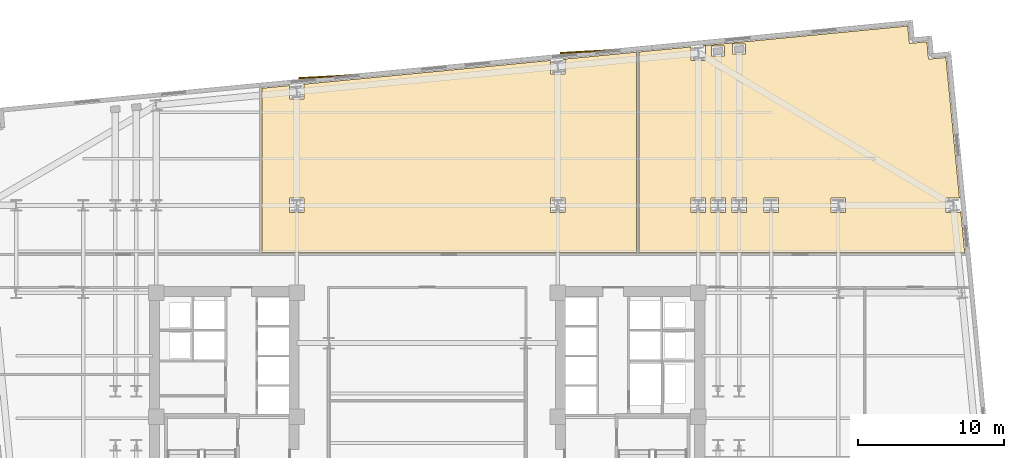
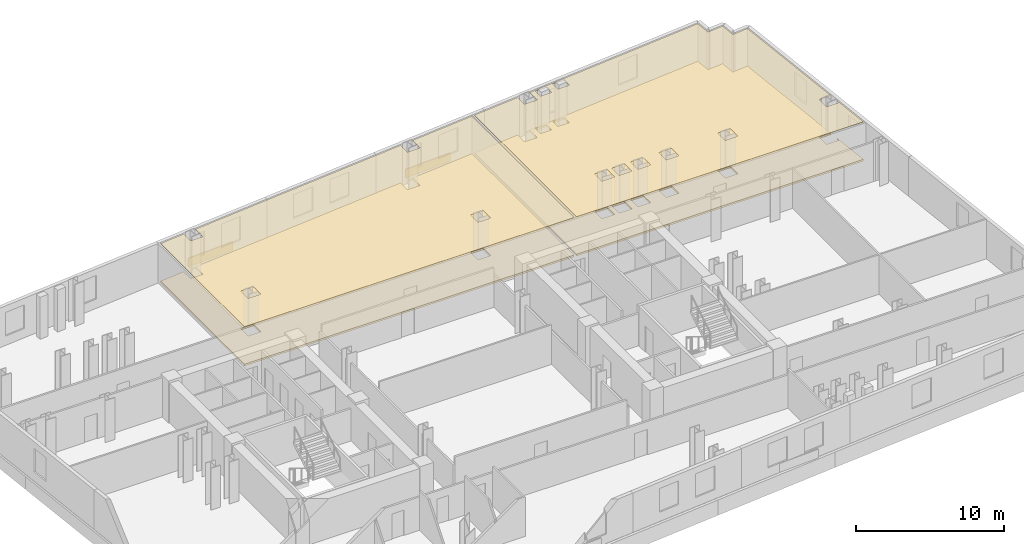
# One storey, part 10 of 10: 6 coverings.
"""IFC4 building model written with IfcOpenShell, lengths in metres."""

from ifc_helpers import new_model, si_unit, direction, frame, origin, origin_2d, place, context, subcontext, project, spatial, polyline, rectangle, outline, extrude, material, layer, layer_set, type_object, element, save


model = new_model("IFC4")

# Units and contexts
model_context = context("Model", 3, precision=1e-05, world=origin(), true_north=direction((0.0, 1.0)))
body_context = subcontext(model_context, "Body", "Model", "MODEL_VIEW")
ifc_project = project(units=[si_unit("LENGTHUNIT", "METRE"), si_unit("AREAUNIT", "SQUARE_METRE"), si_unit("VOLUMEUNIT", "CUBIC_METRE"), si_unit("PLANEANGLEUNIT", "RADIAN"), si_unit("MASSUNIT", "GRAM", prefix="KILO")], contexts=[model_context])

# Site, building, storey
site_placement = place(None, origin())
site = spatial("IfcSite", under=ifc_project, at=site_placement, CompositionType="ELEMENT")
building_placement = place(site_placement, origin())
building = spatial("IfcBuilding", under=site, at=building_placement, Name="Velakula Bourse", CompositionType="ELEMENT")
storey_placement = place(building_placement, frame((0.0, 0.0, 74.199951171875)))
storey = spatial("IfcBuildingStorey", under=building, at=storey_placement, Name="L19", CompositionType="ELEMENT", Elevation=74.199951171875)

# Coverings
ifc_material_1 = material(Name="Buff kilned clay facing brick masonry", Category="masonry")
ifc_layer_1 = layer(ifc_material_1, 0.074951171875, Name="Buff kilned clay facing brick masonry", Category="masonry")
ifc_layer_set_1 = layer_set([ifc_layer_1], Name="Buff kilned clay facing brick masonry")
covering_type_1 = type_object("IfcCoveringType", Name="COV-BRK-SPN-75", PredefinedType="CLADDING", material=ifc_layer_set_1)
for number, where, z_axis, x_axis, name in (
    (1, (-7.0087890625, 23.428955078125, 0.0), (0.0, 0.0, 1.0), (0.998489097451, 0.054950179912, 0.0), "L19 Folded Brick Facade Cladding Panel N-B2"),
    (2, (10.908447265625, 25.154052734375, 0.0), (0.0, 0.0, 1.0), (0.998489097451, 0.054950179912, 0.0), "L19 Folded Brick Facade Cladding Panel N-B4"),
):
    element("IfcCovering", number, at=place(storey_placement, frame(where, z_axis=z_axis, x_axis=x_axis)), inside=storey, type_object=covering_type_1, Name=name, PredefinedType="CLADDING", context=body_context, shape_type="SweptSolid", body=[
        extrude(rectangle(XDim=3.60009765625, YDim=0.090087890625, at=origin_2d()), origin(), (0.0, 0.0, 1.0), 0.719970703125),
    ])
ifc_material_2 = material(Name="Mineral-fibre acoustic suspended ceiling tile", Category="mineral")
ifc_layer_2 = layer(ifc_material_2, 0.0400390625, Name="Mineral-fibre acoustic suspended ceiling tile", Category="mineral")
ifc_layer_set_2 = layer_set([ifc_layer_2], Name="Mineral-fibre acoustic suspended ceiling tile")
covering_type_2 = type_object("IfcCoveringType", Name="COV-CEIL-AC-40", PredefinedType="CEILING", material=ifc_layer_set_2)
covering_1_placement = place(storey_placement, frame((0.0, 0.0, 3.199951171875)))
element("IfcCovering", 3, at=covering_1_placement, inside=storey, type_object=covering_type_2, Name="L19 Clearing Committee Room Acoustic Suspended Ceiling", PredefinedType="CEILING", context=body_context, shape_type="SweptSolid", body=[
    extrude(outline(polyline([(8.455078125, 24.546142578125), (8.455078125, 23.626708984375), (9.445068359375, 23.626708984375), (9.445068359375, 24.61669921875), (9.18701171875, 24.61669921875), (14.340087890625, 25.11279296875), (14.340087890625, 11.330078125), (-11.342041015625, 11.330078125), (-11.342041015625, 22.639892578125), (-9.445068359375, 22.822509765625), (-9.445068359375, 21.903076171875), (-8.455078125, 21.903076171875), (-8.455078125, 22.89306640625), (-8.713134765625, 22.89306640625), (8.455078125, 24.546142578125)]), holes=[polyline([(-9.445068359375, 15.094970703125), (-9.445068359375, 14.10498046875), (-8.455078125, 14.10498046875), (-8.455078125, 15.094970703125), (-9.445068359375, 15.094970703125)]), polyline([(8.455078125, 15.094970703125), (8.455078125, 14.10498046875), (9.445068359375, 14.10498046875), (9.445068359375, 15.094970703125), (8.455078125, 15.094970703125)])]), origin(), (0.0, 0.0, 1.0), 0.0400390625),
])
covering_2_placement = place(storey_placement, frame((0.0, 0.0, 3.199951171875)))
element("IfcCovering", 4, at=covering_2_placement, inside=storey, type_object=covering_type_2, Name="L19 Tea Room Kitchenette Acoustic Suspended Ceiling", PredefinedType="CEILING", context=body_context, shape_type="SweptSolid", body=[
    extrude(outline(polyline([(32.9619140625, 26.906005859375), (33.076904296875, 25.71142578125), (34.271484375, 25.826416015625), (34.386474609375, 24.632080078125), (35.5810546875, 24.7470703125), (36.510498046875, 15.094970703125), (35.5908203125, 15.094970703125), (35.5908203125, 14.10498046875), (36.580810546875, 14.10498046875), (36.580810546875, 14.363037109375), (36.873046875, 11.330078125), (14.5400390625, 11.330078125), (14.5400390625, 25.132080078125), (18.10498046875, 25.475341796875), (18.10498046875, 24.555908203125), (19.094970703125, 24.555908203125), (19.094970703125, 25.5458984375), (18.837646484375, 25.5458984375), (32.9619140625, 26.906005859375)]), holes=[polyline([(20.905029296875, 14.10498046875), (21.89501953125, 14.10498046875), (21.89501953125, 15.094970703125), (20.905029296875, 15.094970703125), (20.905029296875, 14.10498046875)]), polyline([(23.10498046875, 15.094970703125), (23.10498046875, 14.10498046875), (24.094970703125, 14.10498046875), (24.094970703125, 15.094970703125), (23.10498046875, 15.094970703125)]), polyline([(19.455078125, 15.094970703125), (19.455078125, 14.10498046875), (20.445068359375, 14.10498046875), (20.445068359375, 15.094970703125), (19.455078125, 15.094970703125)]), polyline([(27.705078125, 14.10498046875), (28.695068359375, 14.10498046875), (28.695068359375, 15.094970703125), (27.705078125, 15.094970703125), (27.705078125, 14.10498046875)]), polyline([(18.10498046875, 14.10498046875), (19.094970703125, 14.10498046875), (19.094970703125, 15.094970703125), (18.10498046875, 15.094970703125), (18.10498046875, 14.10498046875)]), polyline([(19.5048828125, 25.52587890625), (19.5048828125, 24.8359375), (20.39501953125, 24.8359375), (20.39501953125, 25.52587890625), (19.5048828125, 25.52587890625)]), polyline([(20.955078125, 25.66552734375), (20.955078125, 24.9755859375), (21.844970703125, 24.9755859375), (21.844970703125, 25.66552734375), (20.955078125, 25.66552734375)])]), origin(), (0.0, 0.0, 1.0), 0.0400390625),
])
ifc_material_3 = material(Name="Calcium-sulphate antistatic raised access flooring", Category="gypsum")
ifc_layer_3 = layer(ifc_material_3, 0.14990234375, Name="Calcium-sulphate antistatic raised access flooring", Category="gypsum")
ifc_layer_set_3 = layer_set([ifc_layer_3], Name="Calcium-sulphate antistatic raised access flooring")
covering_type_3 = type_object("IfcCoveringType", Name="COV-FLR-RAISED-150", PredefinedType="FLOORING", material=ifc_layer_set_3)
covering_3_placement = place(storey_placement, origin())
element("IfcCovering", 5, at=covering_3_placement, inside=storey, type_object=covering_type_3, Name="L19 Clearing Committee Room Raised Trading Access Floor", PredefinedType="FLOORING", context=body_context, shape_type="SweptSolid", body=[
    extrude(outline(polyline([(8.455078125, 24.546142578125), (8.455078125, 23.626708984375), (9.445068359375, 23.626708984375), (9.445068359375, 24.61669921875), (9.18701171875, 24.61669921875), (14.340087890625, 25.11279296875), (14.340087890625, 11.330078125), (-11.342041015625, 11.330078125), (-11.342041015625, 22.639892578125), (-9.445068359375, 22.822509765625), (-9.445068359375, 21.903076171875), (-8.455078125, 21.903076171875), (-8.455078125, 22.89306640625), (-8.713134765625, 22.89306640625), (8.455078125, 24.546142578125)]), holes=[polyline([(-9.445068359375, 15.094970703125), (-9.445068359375, 14.10498046875), (-8.455078125, 14.10498046875), (-8.455078125, 15.094970703125), (-9.445068359375, 15.094970703125)]), polyline([(8.455078125, 15.094970703125), (8.455078125, 14.10498046875), (9.445068359375, 14.10498046875), (9.445068359375, 15.094970703125), (8.455078125, 15.094970703125)])]), origin(), (0.0, 0.0, 1.0), 0.150146484375),
])
covering_4_placement = place(storey_placement, origin())
element("IfcCovering", 6, at=covering_4_placement, inside=storey, type_object=covering_type_3, Name="L19 Tea Room Kitchenette Raised Trading Access Floor", PredefinedType="FLOORING", context=body_context, shape_type="SweptSolid", body=[
    extrude(outline(polyline([(32.9619140625, 26.906005859375), (33.076904296875, 25.71142578125), (34.271484375, 25.826416015625), (34.386474609375, 24.632080078125), (35.5810546875, 24.7470703125), (36.510498046875, 15.094970703125), (35.5908203125, 15.094970703125), (35.5908203125, 14.10498046875), (36.580810546875, 14.10498046875), (36.580810546875, 14.363037109375), (36.873046875, 11.330078125), (14.5400390625, 11.330078125), (14.5400390625, 25.132080078125), (18.10498046875, 25.475341796875), (18.10498046875, 24.555908203125), (19.094970703125, 24.555908203125), (19.094970703125, 25.5458984375), (18.837646484375, 25.5458984375), (32.9619140625, 26.906005859375)]), holes=[polyline([(20.905029296875, 14.10498046875), (21.89501953125, 14.10498046875), (21.89501953125, 15.094970703125), (20.905029296875, 15.094970703125), (20.905029296875, 14.10498046875)]), polyline([(23.10498046875, 15.094970703125), (23.10498046875, 14.10498046875), (24.094970703125, 14.10498046875), (24.094970703125, 15.094970703125), (23.10498046875, 15.094970703125)]), polyline([(19.455078125, 15.094970703125), (19.455078125, 14.10498046875), (20.445068359375, 14.10498046875), (20.445068359375, 15.094970703125), (19.455078125, 15.094970703125)]), polyline([(27.705078125, 14.10498046875), (28.695068359375, 14.10498046875), (28.695068359375, 15.094970703125), (27.705078125, 15.094970703125), (27.705078125, 14.10498046875)]), polyline([(18.10498046875, 14.10498046875), (19.094970703125, 14.10498046875), (19.094970703125, 15.094970703125), (18.10498046875, 15.094970703125), (18.10498046875, 14.10498046875)]), polyline([(19.5048828125, 25.52587890625), (19.5048828125, 24.8359375), (20.39501953125, 24.8359375), (20.39501953125, 25.52587890625), (19.5048828125, 25.52587890625)]), polyline([(20.955078125, 25.66552734375), (20.955078125, 24.9755859375), (21.844970703125, 24.9755859375), (21.844970703125, 25.66552734375), (20.955078125, 25.66552734375)])]), origin(), (0.0, 0.0, 1.0), 0.150146484375),
])

save(model, "model.ifc")
